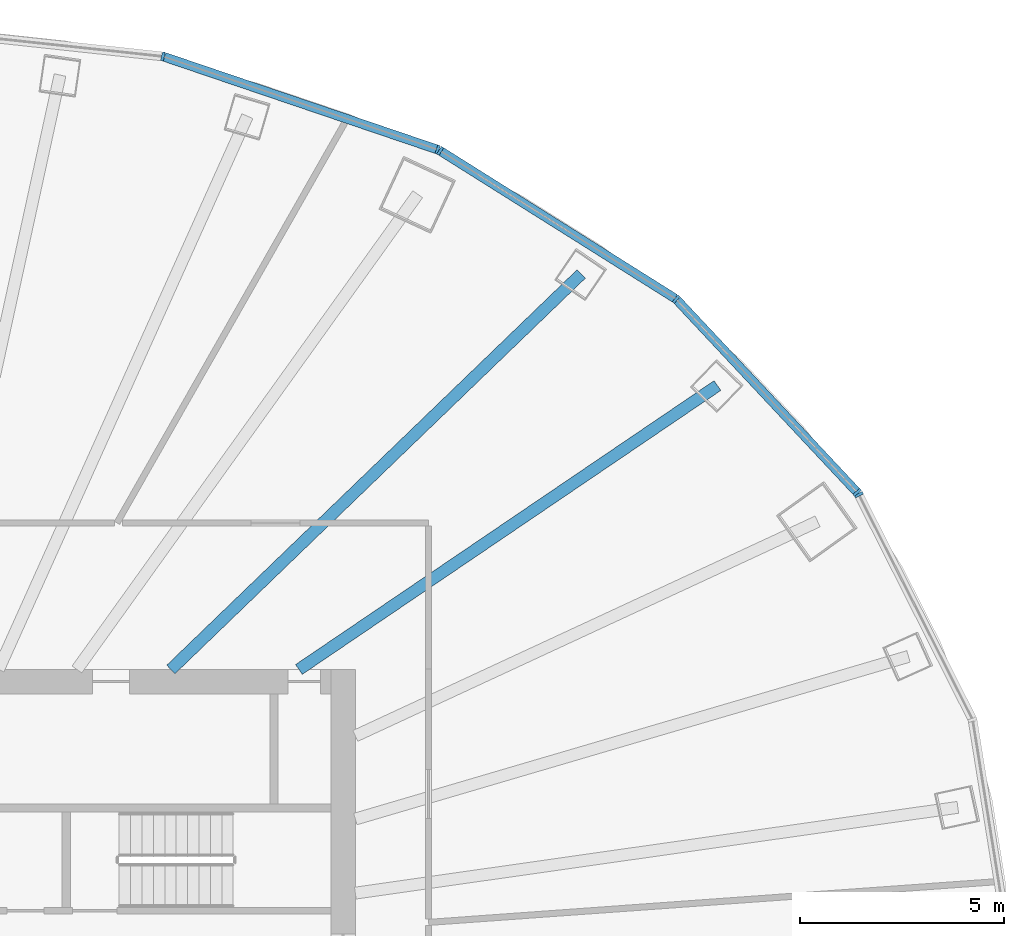
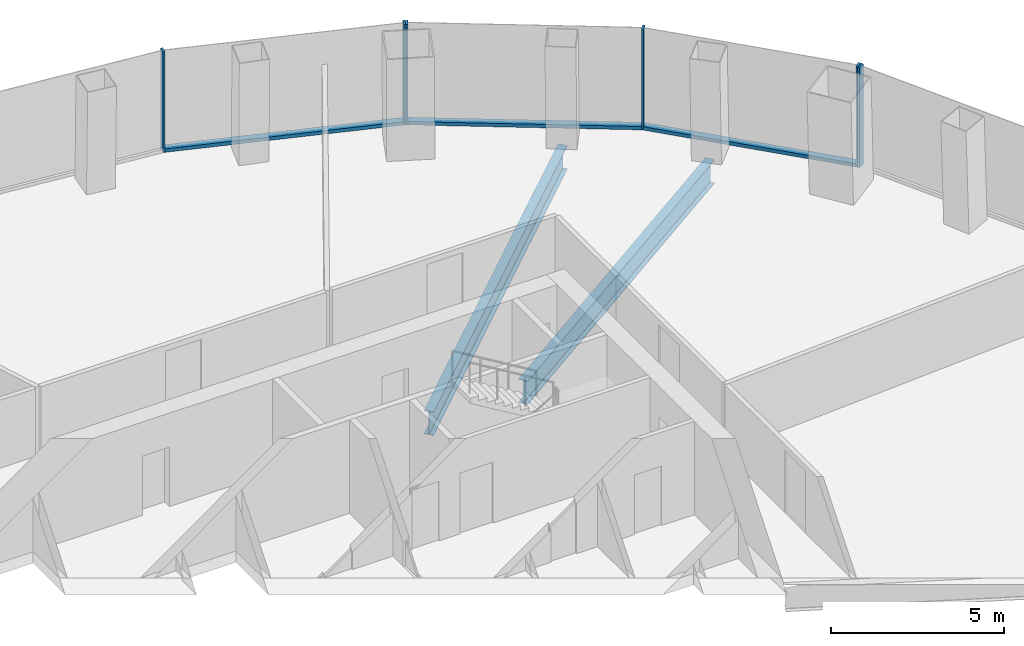
# One storey, part 6 of 11: 9 members, 2 beams, 3 elements without a shape of their own.
"""IFC4 building model written with IfcOpenShell, lengths in metres."""

from ifc_helpers import new_model, si_unit, direction, frame, origin, origin_2d, place, context, subcontext, project, spatial, rectangle, i_section, extrude, material, layer, layer_set, material_profile, profile_set, type_object, element, aggregate, save


model = new_model("IFC4")

# Units and contexts
model_context = context("Model", 3, precision=1e-05, world=origin(), true_north=direction((0.0, 1.0)))
body_context = subcontext(model_context, "Body", "Model", "MODEL_VIEW")
ifc_project = project(units=[si_unit("LENGTHUNIT", "METRE"), si_unit("AREAUNIT", "SQUARE_METRE"), si_unit("VOLUMEUNIT", "CUBIC_METRE"), si_unit("PLANEANGLEUNIT", "RADIAN"), si_unit("MASSUNIT", "GRAM", prefix="KILO")], contexts=[model_context])

# Site, building, storey
site_placement = place(None, origin())
site = spatial("IfcSite", under=ifc_project, at=site_placement, CompositionType="ELEMENT")
building_placement = place(site_placement, origin())
building = spatial("IfcBuilding", under=site, at=building_placement, Name="Siaravel Broadcast Tower", CompositionType="ELEMENT")
storey_placement = place(building_placement, frame((0.0, 0.0, 44.5)))
storey = spatial("IfcBuildingStorey", under=building, at=storey_placement, Name="L09", CompositionType="ELEMENT", Elevation=44.5)

# Beams
ifc_material_1 = material(Name="Steel S355", Category="steel")
ifc_material_profile_1 = material_profile(ifc_material_1, i_section(OverallWidth=0.291748046875, OverallDepth=0.8349609375, WebThickness=0.013916015625, FlangeThickness=0.018798828125, FilletRadius=0.017822265625, at=origin_2d()))
ifc_profile_set_1 = profile_set([ifc_material_profile_1], Name="Steel S355")
beam_type = type_object("IfcBeamType", Name="BM-UB 838x292x176", PredefinedType="BEAM", material=ifc_profile_set_1)
beam_1_placement = place(storey_placement, frame((20.89208984375, 14.171142578125, -0.5673828125), z_axis=(-0.827577543, -0.561351415, 0.0), x_axis=(0.561351415, -0.827577543, 0.0)))
element("IfcBeam", 1, at=beam_1_placement, inside=storey, type_object=beam_type, Name="Radial beam RB05", PredefinedType="BEAM", context=body_context, shape_type="SweptSolid", body=[
    extrude(i_section(OverallWidth=0.291748046875, OverallDepth=0.8349609375, WebThickness=0.013916015625, FlangeThickness=0.018798828125, FilletRadius=0.017822265625, at=origin_2d()), origin(), (0.0, 0.0, 1.0), 12.418701171875),
])
beam_2_placement = place(storey_placement, frame((17.54638671875, 16.911376953125, -0.5673828125), z_axis=(-0.720018614, -0.69395475, 0.0), x_axis=(0.69395475, -0.720018614, 0.0)))
element("IfcBeam", 2, at=beam_2_placement, inside=storey, type_object=beam_type, Name="Radial beam RB06", PredefinedType="BEAM", context=body_context, shape_type="SweptSolid", body=[
    extrude(i_section(OverallWidth=0.291748046875, OverallDepth=0.8349609375, WebThickness=0.013916015625, FlangeThickness=0.018798828125, FilletRadius=0.017822265625, at=origin_2d()), origin(), (0.0, 0.0, 1.0), 13.994384765625),
])

# Curtain wall, member
ifc_material_2 = material(Name="Aluminium 6063-T6", Category="aluminium")
ifc_layer = layer(ifc_material_2, 0.219970703125)
ifc_layer_set = layer_set([ifc_layer], Name="Aluminium 6063-T6")
curtain_wall_type = type_object("IfcCurtainWallType", Name="Unitised curtain wall, zone 1", PredefinedType="NOTDEFINED", material=ifc_layer_set)
curtain_wall_1_placement = place(storey_placement, origin())
curtain_wall_1 = element("IfcCurtainWall", 3, at=curtain_wall_1_placement, inside=storey, type_object=curtain_wall_type, Name="L09 Unitised curtain wall, zone 1 01", PredefinedType="NOTDEFINED")
ifc_material_profile_2 = material_profile(ifc_material_2, rectangle(XDim=0.219970703125, YDim=0.070068359375, at=origin_2d()))
ifc_profile_set_2 = profile_set([ifc_material_profile_2], Name="Aluminium 6063-T6")
member_type_1 = type_object("IfcMemberType", Name="CW-Z1 mullion", PredefinedType="MULLION", material=ifc_profile_set_2)
member_1_placement = place(storey_placement, frame((24.362548828125, 11.4921875, 0.0), z_axis=(0.0, 0.0, 1.0), x_axis=(-0.892391814, -0.451261399, 0.0)))
member_1 = element("IfcMember", 4, at=member_1_placement, type_object=member_type_1, Name="CW-Z1 mullion 3", PredefinedType="MULLION", context=body_context, shape_type="SweptSolid", body=[
    extrude(rectangle(XDim=0.219970703125, YDim=0.070068359375, at=origin_2d()), origin(), (0.0, 0.0, 1.0), 3.550048828125),
])
aggregate(curtain_wall_1, [member_1])

# Curtain wall, members
curtain_wall_2_placement = place(storey_placement, origin())
curtain_wall_2 = element("IfcCurtainWall", 5, at=curtain_wall_2_placement, inside=storey, type_object=curtain_wall_type, Name="L09 Unitised curtain wall, zone 1 02", PredefinedType="NOTDEFINED")
member_2_placement = place(storey_placement, frame((24.322998046875, 11.549072265625, 0.0), z_axis=(0.0, 0.0, 1.0), x_axis=(-0.729804946, -0.683655426, 0.0)))
member_2 = element("IfcMember", 6, at=member_2_placement, type_object=member_type_1, Name="CW-Z1 mullion 1", PredefinedType="MULLION", context=body_context, shape_type="SweptSolid", body=[
    extrude(rectangle(XDim=0.219970703125, YDim=0.070068359375, at=origin_2d()), origin(), (0.0, 0.0, 1.0), 3.550048828125),
])
member_3_placement = place(storey_placement, frame((19.87744140625, 16.294677734375, 0.0), z_axis=(0.0, 0.0, 1.0), x_axis=(-0.63621841, -0.771508998, 0.0)))
member_3 = element("IfcMember", 7, at=member_3_placement, type_object=member_type_1, Name="CW-Z1 mullion 2", PredefinedType="MULLION", context=body_context, shape_type="SweptSolid", body=[
    extrude(rectangle(XDim=0.219970703125, YDim=0.070068359375, at=origin_2d()), origin(), (0.0, 0.0, 1.0), 3.550048828125),
])
member_4_placement = place(storey_placement, frame((14.083984375, 19.935791015625, 0.0), z_axis=(0.0, 0.0, 1.0), x_axis=(-0.532149101, -0.846650657, 0.0)))
member_4 = element("IfcMember", 8, at=member_4_placement, type_object=member_type_1, Name="CW-Z1 mullion 3", PredefinedType="MULLION", context=body_context, shape_type="SweptSolid", body=[
    extrude(rectangle(XDim=0.219970703125, YDim=0.070068359375, at=origin_2d()), origin(), (0.0, 0.0, 1.0), 3.550048828125),
])

curtain_wall_3_placement = place(storey_placement, origin())
curtain_wall_3 = element("IfcCurtainWall", 9, at=curtain_wall_3_placement, inside=storey, type_object=curtain_wall_type, Name="L09 Unitised curtain wall, zone 1 03", PredefinedType="NOTDEFINED")
member_5_placement = place(storey_placement, frame((14.021240234375, 19.9658203125, 0.0), z_axis=(0.0, 0.0, 1.0), x_axis=(-0.321300632, -0.946977246, 0.0)))
member_5 = element("IfcMember", 10, at=member_5_placement, type_object=member_type_1, Name="CW-Z1 mullion 1", PredefinedType="MULLION", context=body_context, shape_type="SweptSolid", body=[
    extrude(rectangle(XDim=0.219970703125, YDim=0.070068359375, at=origin_2d()), origin(), (0.0, 0.0, 1.0), 3.550048828125),
])
member_6_placement = place(storey_placement, frame((7.27490234375, 22.2548828125, 0.0), z_axis=(0.0, 0.0, 1.0), x_axis=(-0.215558083, -0.97649102, 0.0)))
member_6 = element("IfcMember", 11, at=member_6_placement, type_object=member_type_1, Name="CW-Z1 mullion 2", PredefinedType="MULLION", context=body_context, shape_type="SweptSolid", body=[
    extrude(rectangle(XDim=0.219970703125, YDim=0.070068359375, at=origin_2d()), origin(), (0.0, 0.0, 1.0), 3.550048828125),
])

# Member
ifc_material_profile_3 = material_profile(ifc_material_2, rectangle(XDim=0.219970703125, YDim=0.1201171875, at=origin_2d()))
ifc_profile_set_3 = profile_set([ifc_material_profile_3], Name="Aluminium 6063-T6")
member_type_2 = type_object("IfcMemberType", Name="CW-Z1 transom", PredefinedType="USERDEFINED", material=ifc_profile_set_3)
member_7_placement = place(storey_placement, frame((24.299072265625, 11.574462890625, 0.06005859375), z_axis=(-0.683654492, 0.72980582, 0.0), x_axis=(-0.72980582, -0.683654492, 0.0)))
member_7 = element("IfcMember", 12, at=member_7_placement, type_object=member_type_2, Name="CW-Z1 transom 1", ObjectType="TRANSOM", PredefinedType="USERDEFINED", context=body_context, shape_type="SweptSolid", body=[
    extrude(rectangle(XDim=0.219970703125, YDim=0.1201171875, at=origin_2d()), origin(), (0.0, 0.0, 1.0), 6.4326171875),
])

member_8_placement = place(storey_placement, frame((19.847900390625, 16.313232421875, 0.06005859375), z_axis=(-0.846656967, 0.532139062, 0.0), x_axis=(-0.532139062, -0.846656967, 0.0)))
member_8 = element("IfcMember", 13, at=member_8_placement, type_object=member_type_2, Name="CW-Z1 transom 2", ObjectType="TRANSOM", PredefinedType="USERDEFINED", context=body_context, shape_type="SweptSolid", body=[
    extrude(rectangle(XDim=0.219970703125, YDim=0.1201171875, at=origin_2d()), origin(), (0.0, 0.0, 1.0), 6.772705078125),
])

aggregate(curtain_wall_2, [member_2, member_3, member_4, member_7, member_8])

member_9_placement = place(storey_placement, frame((13.988037109375, 19.97705078125, 0.06005859375), z_axis=(-0.946973811, 0.321310754, 0.0), x_axis=(-0.321310754, -0.946973811, 0.0)))
member_9 = element("IfcMember", 14, at=member_9_placement, type_object=member_type_2, Name="CW-Z1 transom 1", ObjectType="TRANSOM", PredefinedType="USERDEFINED", context=body_context, shape_type="SweptSolid", body=[
    extrude(rectangle(XDim=0.219970703125, YDim=0.1201171875, at=origin_2d()), origin(), (0.0, 0.0, 1.0), 7.05419921875),
])

aggregate(curtain_wall_3, [member_5, member_6, member_9])

save(model, "model.ifc")
